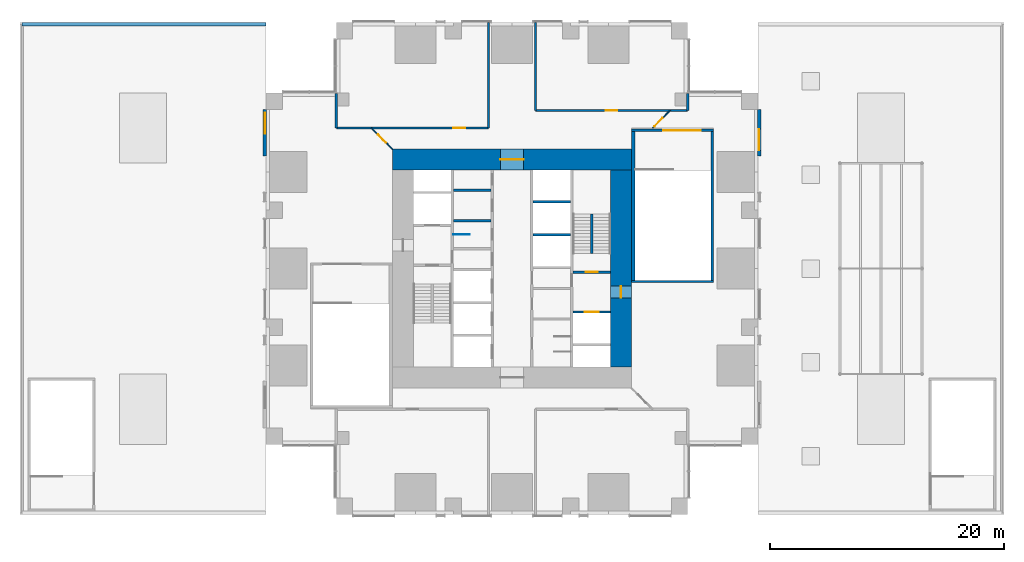
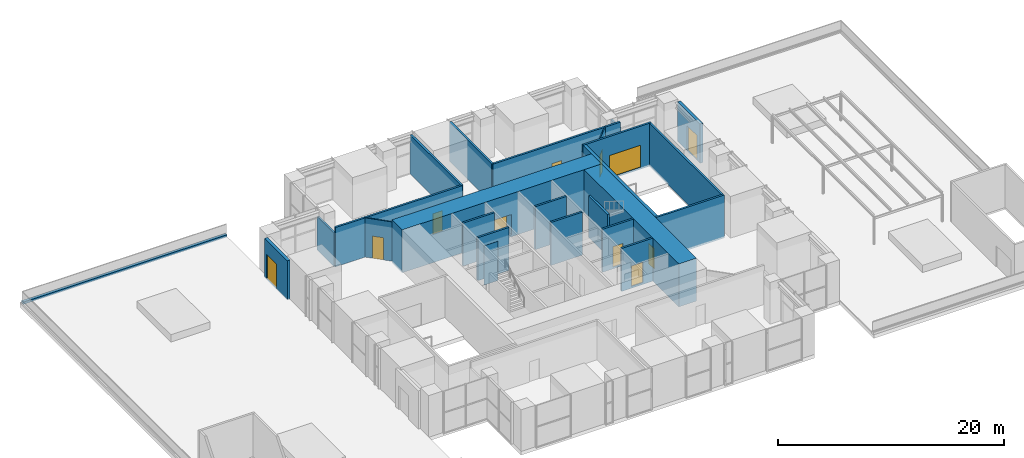
# One storey, part 11 of 14: 25 walls, 11 doors, 11 openings.
"""IFC4 building model written with IfcOpenShell, lengths in metres."""

from ifc_helpers import new_model, si_unit, direction, frame, frame_2d, origin, place, context, subcontext, project, spatial, rectangle, extrude, material, layer, layer_set, type_object, element, fill, save


model = new_model("IFC4")

# Units and contexts
model_context = context("Model", 3, precision=1e-05, world=origin(), true_north=direction((0.0, 1.0)))
body_context = subcontext(model_context, "Body", "Model", "MODEL_VIEW")
ifc_project = project(units=[si_unit("LENGTHUNIT", "METRE"), si_unit("AREAUNIT", "SQUARE_METRE"), si_unit("VOLUMEUNIT", "CUBIC_METRE"), si_unit("PLANEANGLEUNIT", "RADIAN"), si_unit("MASSUNIT", "GRAM", prefix="KILO")], contexts=[model_context])

# Site, building, storey
site_placement = place(None, origin())
site = spatial("IfcSite", under=ifc_project, at=site_placement, CompositionType="ELEMENT")
building_placement = place(site_placement, origin())
building = spatial("IfcBuilding", under=site, at=building_placement, Name="Svetlomir Tower", CompositionType="ELEMENT")
storey_placement = place(building_placement, frame((0.0, 0.0, 18.0)))
storey = spatial("IfcBuildingStorey", under=building, at=storey_placement, Name="L03", CompositionType="ELEMENT", Elevation=18.0)

# Wall
ifc_material_1 = material(Name="Gypsum board on twin steel studs", Category="steel")
ifc_layer_1 = layer(ifc_material_1, 0.199951171875)
ifc_layer_set_1 = layer_set([ifc_layer_1], Name="Gypsum board on twin steel studs")
wall_type_1 = type_object("IfcWallType", Name="ACOUSTIC PARTITION 200", PredefinedType="PARTITIONING", material=ifc_layer_set_1)
wall_1_placement = place(storey_placement, frame((6.0, 33.0, 0.0), z_axis=(0.0, 0.0, 1.0), x_axis=(0.0, 1.0, 0.0)))
element("IfcWall", 1, at=wall_1_placement, inside=storey, type_object=wall_type_1, Name="Partition L03", PredefinedType="PARTITIONING", context=body_context, shape_type="SweptSolid", body=[
    extrude(rectangle(XDim=2.949951171875, YDim=0.199951171875, at=frame_2d((1.47509765625, 0.0))), origin(), (0.0, 0.0, 1.0), 3.6298828125),
])

# Wall, opening, door
wall_2_placement = place(storey_placement, frame((6.0, 33.0, 0.0), z_axis=(0.0, 0.0, 1.0), x_axis=(1.0, 0.0, 0.0)))
wall_2 = element("IfcWall", 2, at=wall_2_placement, inside=storey, type_object=wall_type_1, Name="Partition L03", PredefinedType="PARTITIONING", context=body_context, shape_type="SweptSolid", body=[
    extrude(rectangle(XDim=13.0, YDim=0.199951171875, at=frame_2d((6.5, 0.0))), origin(), (0.0, 0.0, 1.0), 4.25),
])
opening_1_placement = place(wall_2_placement, frame((10.0, 0.0, 0.0)))
opening_1 = element("IfcOpeningElement", 3, at=opening_1_placement, cuts=wall_2, Name="Opening DR", PredefinedType="OPENING", context=body_context, shape_type="SweptSolid", body=[
    extrude(rectangle(XDim=1.0, YDim=2.199951171875, at=frame_2d((0.5, 1.10009765625))), frame((0.0, 0.10986328125, 0.0), z_axis=(0.0, -1.0, 0.0), x_axis=(1.0, 0.0, 0.0)), (0.0, 0.0, 1.0), 0.219970703125),
])
ifc_material_2 = material(Name="Timber door, glazed side light", Category="wood")
door_type_1 = type_object("IfcDoorType", Name="DOOR DR 1000x2200", OperationType="SINGLE_SWING_LEFT", PredefinedType="DOOR", material=ifc_material_2)
door_1_placement = place(opening_1_placement, origin())
door_1 = element("IfcDoor", 4, at=door_1_placement, inside=storey, type_object=door_type_1, Name="Conference room 5 door L03", OperationType="SINGLE_SWING_RIGHT", OverallHeight=2.199951171875, OverallWidth=1.0, PredefinedType="DOOR", context=body_context, shape_type="SweptSolid", body=[
    extrude(rectangle(XDim=1.0, YDim=2.199951171875, at=frame_2d((0.5, 1.10009765625))), frame((0.0, 0.02490234375, 0.0), z_axis=(0.0, -1.0, 0.0), x_axis=(1.0, 0.0, 0.0)), (0.0, 0.0, 1.0), 0.050048828125),
])
fill(opening_1, door_1)

# Walls
wall_3_placement = place(storey_placement, frame((19.0, 33.0, 0.0), z_axis=(0.0, 0.0, 1.0), x_axis=(0.0, 1.0, 0.0)))
element("IfcWall", 5, at=wall_3_placement, inside=storey, type_object=wall_type_1, Name="Partition L03", PredefinedType="PARTITIONING", context=body_context, shape_type="SweptSolid", body=[
    extrude(rectangle(XDim=9.0, YDim=0.199951171875, at=frame_2d((4.5, 0.0))), origin(), (0.0, 0.0, 1.0), 4.25),
])
wall_4_placement = place(storey_placement, frame((23.0, 34.5, 0.0), z_axis=(0.0, 0.0, 1.0), x_axis=(0.0, 1.0, 0.0)))
element("IfcWall", 6, at=wall_4_placement, inside=storey, type_object=wall_type_1, Name="Partition L03", PredefinedType="PARTITIONING", context=body_context, shape_type="SweptSolid", body=[
    extrude(rectangle(XDim=7.5, YDim=0.199951171875, at=frame_2d((3.75, 0.0))), origin(), (0.0, 0.0, 1.0), 4.25),
])

# Wall, opening, door
wall_5_placement = place(storey_placement, frame((23.0, 34.5, 0.0), z_axis=(0.0, 0.0, 1.0), x_axis=(1.0, 0.0, 0.0)))
wall_5 = element("IfcWall", 7, at=wall_5_placement, inside=storey, type_object=wall_type_1, Name="Partition L03", PredefinedType="PARTITIONING", context=body_context, shape_type="SweptSolid", body=[
    extrude(rectangle(XDim=13.0, YDim=0.199951171875, at=frame_2d((6.5, 0.0))), origin(), (0.0, 0.0, 1.0), 4.25),
])
opening_2_placement = place(wall_5_placement, frame((6.0, 0.0, 0.0)))
opening_2 = element("IfcOpeningElement", 8, at=opening_2_placement, cuts=wall_5, Name="Opening DR", PredefinedType="OPENING", context=body_context, shape_type="SweptSolid", body=[
    extrude(rectangle(XDim=1.0, YDim=2.199951171875, at=frame_2d((0.5, 1.10009765625))), frame((0.0, 0.10986328125, 0.0), z_axis=(0.0, -1.0, 0.0), x_axis=(1.0, 0.0, 0.0)), (0.0, 0.0, 1.0), 0.219970703125),
])
door_2_placement = place(opening_2_placement, origin())
door_2 = element("IfcDoor", 9, at=door_2_placement, inside=storey, type_object=door_type_1, Name="Conference room 6 door L03", OperationType="SINGLE_SWING_RIGHT", OverallHeight=2.199951171875, OverallWidth=1.0, PredefinedType="DOOR", context=body_context, shape_type="SweptSolid", body=[
    extrude(rectangle(XDim=1.0, YDim=2.199951171875, at=frame_2d((0.5, 1.10009765625))), frame((0.0, 0.02490234375, 0.0), z_axis=(0.0, -1.0, 0.0), x_axis=(1.0, 0.0, 0.0)), (0.0, 0.0, 1.0), 0.050048828125),
])
fill(opening_2, door_2)

# Walls
wall_6_placement = place(storey_placement, frame((36.0, 34.5, 0.0), z_axis=(0.0, 0.0, 1.0), x_axis=(0.0, 1.0, 0.0)))
element("IfcWall", 10, at=wall_6_placement, inside=storey, type_object=wall_type_1, Name="Partition L03", PredefinedType="PARTITIONING", context=body_context, shape_type="SweptSolid", body=[
    extrude(rectangle(XDim=1.449951171875, YDim=0.199951171875, at=frame_2d((0.72509765625, 0.0))), origin(), (0.0, 0.0, 1.0), 3.6298828125),
])
ifc_material_3 = material(Name="Concrete C60/75", Category="concrete")
ifc_layer_2 = layer(ifc_material_3, 0.199951171875)
ifc_layer_set_2 = layer_set([ifc_layer_2], Name="Concrete C60/75")
wall_type_2 = type_object("IfcWallType", Name="CORE INNER WALL 200", PredefinedType="SHEAR", material=ifc_layer_set_2)
for number, where, z_axis, x_axis, name in (
    (11, (16.0, 25.10009765625, -0.199951171875), (0.0, 0.0, 1.0), (1.0, 0.0, 0.0), "Core inner wall 16-19.2/25.1 L03"),
    (12, (16.0, 27.699951171875, -0.199951171875), (0.0, 0.0, 1.0), (1.0, 0.0, 0.0), "Core inner wall 16-19.2/27.7 L03"),
    (13, (22.800048828125, 23.89990234375, -0.199951171875), (0.0, 0.0, 1.0), (1.0, 0.0, 0.0), "Core inner wall 22.8-26/23.9 L03"),
    (14, (22.800048828125, 26.699951171875, -0.199951171875), (0.0, 0.0, 1.0), (1.0, 0.0, 0.0), "Core inner wall 22.8-26/26.7 L03"),
):
    element("IfcWall", number, at=place(storey_placement, frame(where, z_axis=z_axis, x_axis=x_axis)), inside=storey, type_object=wall_type_2, Name=name, PredefinedType="SHEAR", context=body_context, shape_type="SweptSolid", body=[
        extrude(rectangle(XDim=3.199951171875, YDim=0.199951171875, at=frame_2d((1.60009765625, 0.0))), origin(), (0.0, 0.0, 1.0), 4.64990234375),
    ])

# Wall, opening, door
wall_7_placement = place(storey_placement, frame((26.199951171875, 17.300048828125, -0.199951171875), z_axis=(0.0, 0.0, 1.0), x_axis=(1.0, 0.0, 0.0)))
wall_7 = element("IfcWall", 15, at=wall_7_placement, inside=storey, type_object=wall_type_2, Name="Core inner wall 26.2-29.4/17.3 L03", PredefinedType="SHEAR", context=body_context, shape_type="SweptSolid", body=[
    extrude(rectangle(XDim=3.199951171875, YDim=0.199951171875, at=frame_2d((1.60009765625, 0.0))), origin(), (0.0, 0.0, 1.0), 4.64990234375),
])
opening_3_placement = place(wall_7_placement, frame((1.0, 0.0, 0.199951171875)))
opening_3 = element("IfcOpeningElement", 16, at=opening_3_placement, cuts=wall_7, Name="Opening LD3", PredefinedType="OPENING", context=body_context, shape_type="SweptSolid", body=[
    extrude(rectangle(XDim=1.199951171875, YDim=2.199951171875, at=frame_2d((0.60009765625, 1.10009765625))), frame((0.0, 0.10986328125, 0.0), z_axis=(0.0, -1.0, 0.0), x_axis=(1.0, 0.0, 0.0)), (0.0, 0.0, 1.0), 0.219970703125),
])
ifc_material_4 = material(Name="Stainless steel fire-rated landing door", Category="steel")
door_type_2 = type_object("IfcDoorType", Name="FIREFIGHTING LIFT LANDING DOOR LD3 1200x2200", OperationType="DOUBLE_DOOR_SLIDING", PredefinedType="DOOR", material=ifc_material_4)
door_3_placement = place(opening_3_placement, origin())
door_3 = element("IfcDoor", 17, at=door_3_placement, inside=storey, type_object=door_type_2, Name="Landing door lift FL2 L03", OperationType="DOUBLE_DOOR_SLIDING", OverallHeight=2.199951171875, OverallWidth=1.199951171875, PredefinedType="DOOR", context=body_context, shape_type="SweptSolid", body=[
    extrude(rectangle(XDim=1.199951171875, YDim=2.199951171875, at=frame_2d((0.60009765625, 1.10009765625))), frame((0.0, 0.02490234375, 0.0), z_axis=(0.0, -1.0, 0.0), x_axis=(1.0, 0.0, 0.0)), (0.0, 0.0, 1.0), 0.050048828125),
])
fill(opening_3, door_3)

wall_8_placement = place(storey_placement, frame((26.199951171875, 20.699951171875, -0.199951171875), z_axis=(0.0, 0.0, 1.0), x_axis=(1.0, 0.0, 0.0)))
wall_8 = element("IfcWall", 18, at=wall_8_placement, inside=storey, type_object=wall_type_2, Name="Core inner wall 26.2-29.4/20.7 L03", PredefinedType="SHEAR", context=body_context, shape_type="SweptSolid", body=[
    extrude(rectangle(XDim=3.199951171875, YDim=0.199951171875, at=frame_2d((1.60009765625, 0.0))), origin(), (0.0, 0.0, 1.0), 4.64990234375),
])
opening_4_placement = place(wall_8_placement, frame((1.10009765625, 0.0, 0.199951171875)))
opening_4 = element("IfcOpeningElement", 19, at=opening_4_placement, cuts=wall_8, Name="Opening DF", PredefinedType="OPENING", context=body_context, shape_type="SweptSolid", body=[
    extrude(rectangle(XDim=1.0, YDim=2.199951171875, at=frame_2d((0.5, 1.10009765625))), frame((0.0, 0.10986328125, 0.0), z_axis=(0.0, -1.0, 0.0), x_axis=(1.0, 0.0, 0.0)), (0.0, 0.0, 1.0), 0.219970703125),
])
ifc_material_5 = material(Name="Steel fire door", Category="steel")
door_type_3 = type_object("IfcDoorType", Name="DOOR DF 1000x2200", OperationType="SINGLE_SWING_LEFT", PredefinedType="DOOR", material=ifc_material_5)
door_4_placement = place(opening_4_placement, origin())
door_4 = element("IfcDoor", 20, at=door_4_placement, inside=storey, type_object=door_type_3, Name="Stair S2 door L03", OperationType="SINGLE_SWING_RIGHT", OverallHeight=2.199951171875, OverallWidth=1.0, PredefinedType="DOOR", context=body_context, shape_type="SweptSolid", body=[
    extrude(rectangle(XDim=1.0, YDim=2.199951171875, at=frame_2d((0.5, 1.10009765625))), frame((0.0, 0.02490234375, 0.0), z_axis=(0.0, -1.0, 0.0), x_axis=(1.0, 0.0, 0.0)), (0.0, 0.0, 1.0), 0.050048828125),
])
fill(opening_4, door_4)

ifc_material_6 = material(Name="Concrete C60/75", Category="concrete")
ifc_layer_3 = layer(ifc_material_6, 1.800048828125)
ifc_layer_set_3 = layer_set([ifc_layer_3], Name="Concrete C60/75")
wall_type_3 = type_object("IfcWallType", Name="CORE WALL 1800", PredefinedType="SHEAR", material=ifc_layer_set_3)
wall_9_placement = place(storey_placement, frame((10.800048828125, 30.300048828125, -0.199951171875), z_axis=(0.0, 0.0, 1.0), x_axis=(1.0, 0.0, 0.0)))
wall_9 = element("IfcWall", 21, at=wall_9_placement, inside=storey, type_object=wall_type_3, Name="Core wall north L03", PredefinedType="SHEAR", context=body_context, shape_type="SweptSolid", body=[
    extrude(rectangle(XDim=20.39990234375, YDim=1.800048828125, at=frame_2d((10.199951171875, 0.0))), origin(), (0.0, 0.0, 1.0), 4.64990234375),
])
opening_5_placement = place(wall_9_placement, frame((9.199951171875, 0.0, 0.199951171875)))
opening_5 = element("IfcOpeningElement", 22, at=opening_5_placement, cuts=wall_9, Name="Opening DL", PredefinedType="OPENING", context=body_context, shape_type="SweptSolid", body=[
    extrude(rectangle(XDim=2.0, YDim=2.199951171875, at=frame_2d((1.0, 1.10009765625))), frame((0.0, 0.91015625, 0.0), z_axis=(0.0, -1.0, 0.0), x_axis=(1.0, 0.0, 0.0)), (0.0, 0.0, 1.0), 1.820068359375),
])
ifc_material_7 = material(Name="Steel fire door", Category="steel")
door_type_4 = type_object("IfcDoorType", Name="DOOR DL 2000x2200", OperationType="DOUBLE_DOOR_SINGLE_SWING", PredefinedType="DOOR", material=ifc_material_7)
door_5_placement = place(opening_5_placement, origin())
door_5 = element("IfcDoor", 23, at=door_5_placement, inside=storey, type_object=door_type_4, Name="Lift lobby north door L03", OperationType="DOUBLE_DOOR_SINGLE_SWING", OverallHeight=2.199951171875, OverallWidth=2.0, PredefinedType="DOOR", context=body_context, shape_type="SweptSolid", body=[
    extrude(rectangle(XDim=2.0, YDim=2.199951171875, at=frame_2d((1.0, 1.10009765625))), frame((0.0, 0.02490234375, 0.0), z_axis=(0.0, -1.0, 0.0), x_axis=(1.0, 0.0, 0.0)), (0.0, 0.0, 1.0), 0.050048828125),
])
fill(opening_5, door_5)

wall_10_placement = place(storey_placement, frame((30.300048828125, 12.60009765625, -0.199951171875), z_axis=(0.0, 0.0, 1.0), x_axis=(0.0, 1.0, 0.0)))
wall_10 = element("IfcWall", 24, at=wall_10_placement, inside=storey, type_object=wall_type_3, Name="Core wall east L03", PredefinedType="SHEAR", context=body_context, shape_type="SweptSolid", body=[
    extrude(rectangle(XDim=16.7998046875, YDim=1.800048828125, at=frame_2d((8.39990234375, 0.0))), origin(), (0.0, 0.0, 1.0), 4.64990234375),
])
opening_6_placement = place(wall_10_placement, frame((5.89990234375, 0.0, 0.199951171875)))
opening_6 = element("IfcOpeningElement", 25, at=opening_6_placement, cuts=wall_10, Name="Opening DF", PredefinedType="OPENING", context=body_context, shape_type="SweptSolid", body=[
    extrude(rectangle(XDim=1.0, YDim=2.199951171875, at=frame_2d((0.5, 1.10009765625))), frame((0.0, 0.91015625, 0.0), z_axis=(0.0, -1.0, 0.0), x_axis=(1.0, 0.0, 0.0)), (0.0, 0.0, 1.0), 1.820068359375),
])
door_6_placement = place(opening_6_placement, origin())
door_6 = element("IfcDoor", 26, at=door_6_placement, inside=storey, type_object=door_type_3, Name="Firefighting lobby east door L03", OperationType="SINGLE_SWING_RIGHT", OverallHeight=2.199951171875, OverallWidth=1.0, PredefinedType="DOOR", context=body_context, shape_type="SweptSolid", body=[
    extrude(rectangle(XDim=1.0, YDim=2.199951171875, at=frame_2d((0.5, 1.10009765625))), frame((0.0, 0.02490234375, 0.0), z_axis=(0.0, -1.0, 0.0), x_axis=(1.0, 0.0, 0.0)), (0.0, 0.0, 1.0), 0.050048828125),
])
fill(opening_6, door_6)

ifc_material_8 = material(Name="Bronze anodised aluminium glazed screen", Category="aluminium")
ifc_layer_4 = layer(ifc_material_8, 0.300048828125)
ifc_layer_set_4 = layer_set([ifc_layer_4], Name="Bronze anodised aluminium glazed screen")
wall_type_4 = type_object("IfcWallType", Name="ENTRANCE SCREEN WALL 300", PredefinedType="USERDEFINED", material=ifc_layer_set_4)
wall_11_placement = place(storey_placement, frame((42.10009765625, 30.60009765625, 0.0), z_axis=(0.0, 0.0, 1.0), x_axis=(0.0, 1.0, 0.0)))
wall_11 = element("IfcWall", 27, at=wall_11_placement, inside=storey, type_object=wall_type_4, Name="Terrace screen", ObjectType="GLAZED SCREEN", PredefinedType="USERDEFINED", context=body_context, shape_type="SweptSolid", body=[
    extrude(rectangle(XDim=4.0, YDim=0.300048828125, at=frame_2d((2.0, 0.0))), origin(), (0.0, 0.0, 1.0), 4.25),
])
opening_7_placement = place(wall_11_placement, frame((0.5, 0.0, 0.0)))
opening_7 = element("IfcOpeningElement", 28, at=opening_7_placement, cuts=wall_11, Name="Opening TD", PredefinedType="OPENING", context=body_context, shape_type="SweptSolid", body=[
    extrude(rectangle(XDim=1.800048828125, YDim=2.699951171875, at=frame_2d((0.89990234375, 1.35009765625))), frame((0.0, 0.16015625, 0.0), z_axis=(0.0, -1.0, 0.0), x_axis=(1.0, 0.0, 0.0)), (0.0, 0.0, 1.0), 0.320068359375),
])
ifc_material_9 = material(Name="Bronze anodised aluminium glazed door", Category="aluminium")
door_type_5 = type_object("IfcDoorType", Name="TERRACE DOOR TD 1800x2700", OperationType="DOUBLE_DOOR_SINGLE_SWING", PredefinedType="DOOR", material=ifc_material_9)
door_7_placement = place(opening_7_placement, origin())
door_7 = element("IfcDoor", 29, at=door_7_placement, inside=storey, type_object=door_type_5, Name="Terrace screen door", OperationType="DOUBLE_DOOR_SINGLE_SWING", OverallHeight=2.699951171875, OverallWidth=1.800048828125, PredefinedType="DOOR", context=body_context, shape_type="SweptSolid", body=[
    extrude(rectangle(XDim=1.800048828125, YDim=2.699951171875, at=frame_2d((0.89990234375, 1.35009765625))), frame((0.0, 0.02490234375, 0.0), z_axis=(0.0, -1.0, 0.0), x_axis=(1.0, 0.0, 0.0)), (0.0, 0.0, 1.0), 0.050048828125),
])
fill(opening_7, door_7)

wall_12_placement = place(storey_placement, frame((-0.10009765625, 34.60009765625, 0.0), z_axis=(0.0, 0.0, 1.0), x_axis=(0.0, -1.0, 0.0)))
wall_12 = element("IfcWall", 30, at=wall_12_placement, inside=storey, type_object=wall_type_4, Name="Terrace screen", ObjectType="GLAZED SCREEN", PredefinedType="USERDEFINED", context=body_context, shape_type="SweptSolid", body=[
    extrude(rectangle(XDim=4.0, YDim=0.300048828125, at=frame_2d((2.0, 0.0))), origin(), (0.0, 0.0, 1.0), 4.25),
])
opening_8_placement = place(wall_12_placement, frame((0.300048828125, 0.0, 0.0)))
opening_8 = element("IfcOpeningElement", 31, at=opening_8_placement, cuts=wall_12, Name="Opening TD", PredefinedType="OPENING", context=body_context, shape_type="SweptSolid", body=[
    extrude(rectangle(XDim=1.800048828125, YDim=2.699951171875, at=frame_2d((0.89990234375, 1.35009765625))), frame((0.0, 0.16015625, 0.0), z_axis=(0.0, -1.0, 0.0), x_axis=(1.0, 0.0, 0.0)), (0.0, 0.0, 1.0), 0.320068359375),
])
door_8_placement = place(opening_8_placement, origin())
door_8 = element("IfcDoor", 32, at=door_8_placement, inside=storey, type_object=door_type_5, Name="Terrace screen door", OperationType="DOUBLE_DOOR_SINGLE_SWING", OverallHeight=2.699951171875, OverallWidth=1.800048828125, PredefinedType="DOOR", context=body_context, shape_type="SweptSolid", body=[
    extrude(rectangle(XDim=1.800048828125, YDim=2.699951171875, at=frame_2d((0.89990234375, 1.35009765625))), frame((0.0, 0.02490234375, 0.0), z_axis=(0.0, -1.0, 0.0), x_axis=(1.0, 0.0, 0.0)), (0.0, 0.0, 1.0), 0.050048828125),
])
fill(opening_8, door_8)

ifc_material_10 = material(Name="Framed laminated glass partition", Category="glass")
ifc_layer_5 = layer(ifc_material_10, 0.10009765625)
ifc_layer_set_5 = layer_set([ifc_layer_5], Name="Framed laminated glass partition")
wall_type_5 = type_object("IfcWallType", Name="GLAZED PARTITION 100", PredefinedType="PARTITIONING", material=ifc_layer_set_5)
wall_13_placement = place(storey_placement, frame((33.0, 33.0, 0.0), z_axis=(0.0, 0.0, 1.0), x_axis=(0.707106781187, 0.707106781187, 0.0)))
wall_13 = element("IfcWall", 33, at=wall_13_placement, inside=storey, type_object=wall_type_5, Name="Glazed screen L03", PredefinedType="PARTITIONING", context=body_context, shape_type="SweptSolid", body=[
    extrude(rectangle(XDim=2.121337890625, YDim=0.10009765625, at=frame_2d((1.060546875, 0.0))), origin(), (0.0, 0.0, 1.0), 4.25),
])
opening_9_placement = place(wall_13_placement, frame((0.210693359375, 0.0, 0.0)))
opening_9 = element("IfcOpeningElement", 34, at=opening_9_placement, cuts=wall_13, Name="Opening DG", PredefinedType="OPENING", context=body_context, shape_type="SweptSolid", body=[
    extrude(rectangle(XDim=1.0, YDim=2.39990234375, at=frame_2d((0.5, 1.199951171875))), frame((0.0, 0.06005859375, 0.0), z_axis=(0.0, -1.0, 0.0), x_axis=(1.0, 0.0, 0.0)), (0.0, 0.0, 1.0), 0.1201171875),
])
ifc_material_11 = material(Name="Framed laminated glass door", Category="glass")
door_type_6 = type_object("IfcDoorType", Name="GLAZED DOOR DG 1000x2400", OperationType="SINGLE_SWING_LEFT", PredefinedType="DOOR", material=ifc_material_11)
door_9_placement = place(opening_9_placement, origin())
door_9 = element("IfcDoor", 35, at=door_9_placement, inside=storey, type_object=door_type_6, Name="Glazed screen door L03", OperationType="SINGLE_SWING_RIGHT", OverallHeight=2.39990234375, OverallWidth=1.0, PredefinedType="DOOR", context=body_context, shape_type="SweptSolid", body=[
    extrude(rectangle(XDim=1.0, YDim=2.39990234375, at=frame_2d((0.5, 1.199951171875))), frame((0.0, 0.02490234375, 0.0), z_axis=(0.0, -1.0, 0.0), x_axis=(1.0, 0.0, 0.0)), (0.0, 0.0, 1.0), 0.050048828125),
])
fill(opening_9, door_9)

wall_14_placement = place(storey_placement, frame((10.800048828125, 31.199951171875, 0.0), z_axis=(0.0, 0.0, 1.0), x_axis=(-0.707106781187, 0.707106781187, 0.0)))
wall_14 = element("IfcWall", 36, at=wall_14_placement, inside=storey, type_object=wall_type_5, Name="Glazed screen L03", PredefinedType="PARTITIONING", context=body_context, shape_type="SweptSolid", body=[
    extrude(rectangle(XDim=2.545654296875, YDim=0.10009765625, at=frame_2d((1.27294921875, 0.0))), origin(), (0.0, 0.0, 1.0), 4.25),
])
opening_10_placement = place(wall_14_placement, frame((0.772705078125, 0.0, 0.0)))
opening_10 = element("IfcOpeningElement", 37, at=opening_10_placement, cuts=wall_14, Name="Opening DG", PredefinedType="OPENING", context=body_context, shape_type="SweptSolid", body=[
    extrude(rectangle(XDim=1.0, YDim=2.39990234375, at=frame_2d((0.5, 1.199951171875))), frame((0.0, 0.06005859375, 0.0), z_axis=(0.0, -1.0, 0.0), x_axis=(1.0, 0.0, 0.0)), (0.0, 0.0, 1.0), 0.1201171875),
])
door_10_placement = place(opening_10_placement, origin())
door_10 = element("IfcDoor", 38, at=door_10_placement, inside=storey, type_object=door_type_6, Name="Glazed screen door L03", OperationType="SINGLE_SWING_RIGHT", OverallHeight=2.39990234375, OverallWidth=1.0, PredefinedType="DOOR", context=body_context, shape_type="SweptSolid", body=[
    extrude(rectangle(XDim=1.0, YDim=2.39990234375, at=frame_2d((0.5, 1.199951171875))), frame((0.0, 0.02490234375, 0.0), z_axis=(0.0, -1.0, 0.0), x_axis=(1.0, 0.0, 0.0)), (0.0, 0.0, 1.0), 0.050048828125),
])
fill(opening_10, door_10)

# Walls
ifc_material_12 = material(Name="Concrete C60/75", Category="concrete")
ifc_layer_6 = layer(ifc_material_12, 0.199951171875)
ifc_layer_set_6 = layer_set([ifc_layer_6], Name="Concrete C60/75")
wall_type_6 = type_object("IfcWallType", Name="STAIR CORE WALL RC 200", PredefinedType="SOLIDWALL", material=ifc_layer_set_6)
wall_15_placement = place(storey_placement, frame((31.199951171875, 19.89990234375, -0.199951171875), z_axis=(0.0, 0.0, 1.0), x_axis=(1.0, 0.0, 0.0)))
element("IfcWall", 39, at=wall_15_placement, inside=storey, type_object=wall_type_6, Name="Stair P2 enclosure wall L03", PredefinedType="SOLIDWALL", context=body_context, shape_type="SweptSolid", body=[
    extrude(rectangle(XDim=7.0, YDim=0.199951171875, at=frame_2d((3.5, 0.0))), origin(), (0.0, 0.0, 1.0), 4.64990234375),
])
wall_16_placement = place(storey_placement, frame((38.10009765625, 19.800048828125, -0.199951171875), z_axis=(0.0, 0.0, 1.0), x_axis=(0.0, 1.0, 0.0)))
element("IfcWall", 40, at=wall_16_placement, inside=storey, type_object=wall_type_6, Name="Stair P2 enclosure wall L03", PredefinedType="SOLIDWALL", context=body_context, shape_type="SweptSolid", body=[
    extrude(rectangle(XDim=13.099853515625, YDim=0.199951171875, at=frame_2d((6.5498046875, 0.0))), origin(), (0.0, 0.0, 1.0), 4.64990234375),
])

# Wall, opening, door
wall_17_placement = place(storey_placement, frame((38.199951171875, 32.800048828125, -0.199951171875), z_axis=(0.0, 0.0, 1.0), x_axis=(-1.0, 0.0, 0.0)))
wall_17 = element("IfcWall", 41, at=wall_17_placement, inside=storey, type_object=wall_type_6, Name="Stair P2 enclosure wall L03", PredefinedType="SOLIDWALL", context=body_context, shape_type="SweptSolid", body=[
    extrude(rectangle(XDim=7.0, YDim=0.199951171875, at=frame_2d((3.5, 0.0))), origin(), (0.0, 0.0, 1.0), 4.64990234375),
])
opening_11_placement = place(wall_17_placement, frame((1.10009765625, 0.0, 0.199951171875)))
opening_11 = element("IfcOpeningElement", 42, at=opening_11_placement, cuts=wall_17, Name="Opening DS32", PredefinedType="OPENING", context=body_context, shape_type="SweptSolid", body=[
    extrude(rectangle(XDim=3.199951171875, YDim=2.39990234375, at=frame_2d((1.60009765625, 1.199951171875))), frame((0.0, 0.10986328125, 0.0), z_axis=(0.0, -1.0, 0.0), x_axis=(1.0, 0.0, 0.0)), (0.0, 0.0, 1.0), 0.219970703125),
])
ifc_material_13 = material(Name="Steel fire door", Category="steel")
door_type_7 = type_object("IfcDoorType", Name="STAIR DOUBLE DOOR DS 3200x2400", OperationType="DOUBLE_DOOR_SINGLE_SWING", PredefinedType="DOOR", material=ifc_material_13)
door_11_placement = place(opening_11_placement, origin())
door_11 = element("IfcDoor", 43, at=door_11_placement, inside=storey, type_object=door_type_7, Name="Stair P2 door L03", OperationType="DOUBLE_DOOR_SINGLE_SWING", OverallHeight=2.39990234375, OverallWidth=3.199951171875, PredefinedType="DOOR", context=body_context, shape_type="SweptSolid", body=[
    extrude(rectangle(XDim=3.199951171875, YDim=2.39990234375, at=frame_2d((1.60009765625, 1.199951171875))), frame((0.0, 0.02490234375, 0.0), z_axis=(0.0, -1.0, 0.0), x_axis=(1.0, 0.0, 0.0)), (0.0, 0.0, 1.0), 0.050048828125),
])
fill(opening_11, door_11)

# Walls
ifc_material_14 = material(Name="Concrete C60/75", Category="concrete")
ifc_layer_7 = layer(ifc_material_14, 0.300048828125)
ifc_layer_set_7 = layer_set([ifc_layer_7], Name="Concrete C60/75")
wall_type_7 = type_object("IfcWallType", Name="STAIR CORE WALL RC 300", PredefinedType="SOLIDWALL", material=ifc_layer_set_7)
wall_18_placement = place(storey_placement, frame((31.35009765625, 32.89990234375, -0.199951171875), z_axis=(0.0, 0.0, 1.0), x_axis=(0.0, -1.0, 0.0)))
element("IfcWall", 44, at=wall_18_placement, inside=storey, type_object=wall_type_7, Name="Stair P2 enclosure wall L03", PredefinedType="SOLIDWALL", context=body_context, shape_type="SweptSolid", body=[
    extrude(rectangle(XDim=13.099853515625, YDim=0.300048828125, at=frame_2d((6.5498046875, 0.0))), origin(), (0.0, 0.0, 1.0), 4.64990234375),
])
ifc_material_15 = material(Name="Concrete C60/75", Category="concrete")
ifc_layer_8 = layer(ifc_material_15, 0.199951171875)
ifc_layer_set_8 = layer_set([ifc_layer_8], Name="Concrete C60/75")
wall_type_8 = type_object("IfcWallType", Name="STAIR SPINE WALL 200", PredefinedType="PARTITIONING", material=ifc_layer_set_8)
wall_19_placement = place(storey_placement, frame((27.800048828125, 22.300048828125, 0.0), z_axis=(0.0, 0.0, 1.0), x_axis=(0.0, 1.0, 0.0)))
element("IfcWall", 45, at=wall_19_placement, inside=storey, type_object=wall_type_8, Name="Stair S2 spine wall L03", PredefinedType="PARTITIONING", context=body_context, shape_type="SweptSolid", body=[
    extrude(rectangle(XDim=3.35986328125, YDim=0.199951171875, at=frame_2d((1.679931640625, 0.0))), origin(), (0.0, 0.0, 1.0), 4.5),
])
ifc_material_16 = material(Name="Precast concrete C60/75", Category="concrete")
ifc_layer_9 = layer(ifc_material_16, 0.300048828125)
ifc_layer_set_9 = layer_set([ifc_layer_9], Name="Precast concrete C60/75")
wall_type_9 = type_object("IfcWallType", Name="TERRACE PARAPET 300", PredefinedType="PARAPET", material=ifc_layer_set_9)
wall_20_placement = place(storey_placement, frame((-20.85009765625, 41.85009765625, 0.0), z_axis=(0.0, 0.0, 1.0), x_axis=(1.0, 0.0, 0.0)))
element("IfcWall", 46, at=wall_20_placement, inside=storey, type_object=wall_type_9, Name="Roof terrace parapet W3", PredefinedType="PARAPET", context=body_context, shape_type="SweptSolid", body=[
    extrude(rectangle(XDim=20.85009765625, YDim=0.300048828125, at=frame_2d((10.425048828125, 0.0))), origin(), (0.0, 0.0, 1.0), 0.25),
])
ifc_material_17 = material(Name="Compact laminate panel", Category="plastic")
ifc_layer_10 = layer(ifc_material_17, 0.030029296875)
ifc_layer_set_10 = layer_set([ifc_layer_10], Name="Compact laminate panel")
wall_type_10 = type_object("IfcWallType", Name="WC CUBICLE PARTITION 30", PredefinedType="PARTITIONING", material=ifc_layer_set_10)
wall_21_placement = place(storey_placement, frame((16.0, 23.89990234375, 0.0), z_axis=(0.0, 0.0, 1.0), x_axis=(1.0, 0.0, 0.0)))
element("IfcWall", 47, at=wall_21_placement, inside=storey, type_object=wall_type_10, Name="WC cubicle partition L03", PredefinedType="PARTITIONING", context=body_context, shape_type="SweptSolid", body=[
    extrude(rectangle(XDim=1.39990234375, YDim=0.030029296875, at=frame_2d((0.699951171875, 0.0))), origin(), (0.0, 0.0, 1.0), 4.25),
])

save(model, "model.ifc")
